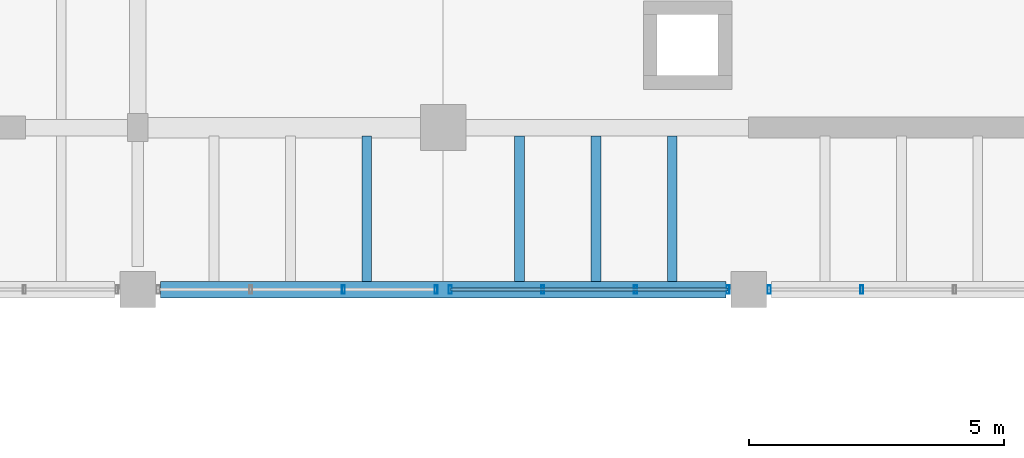
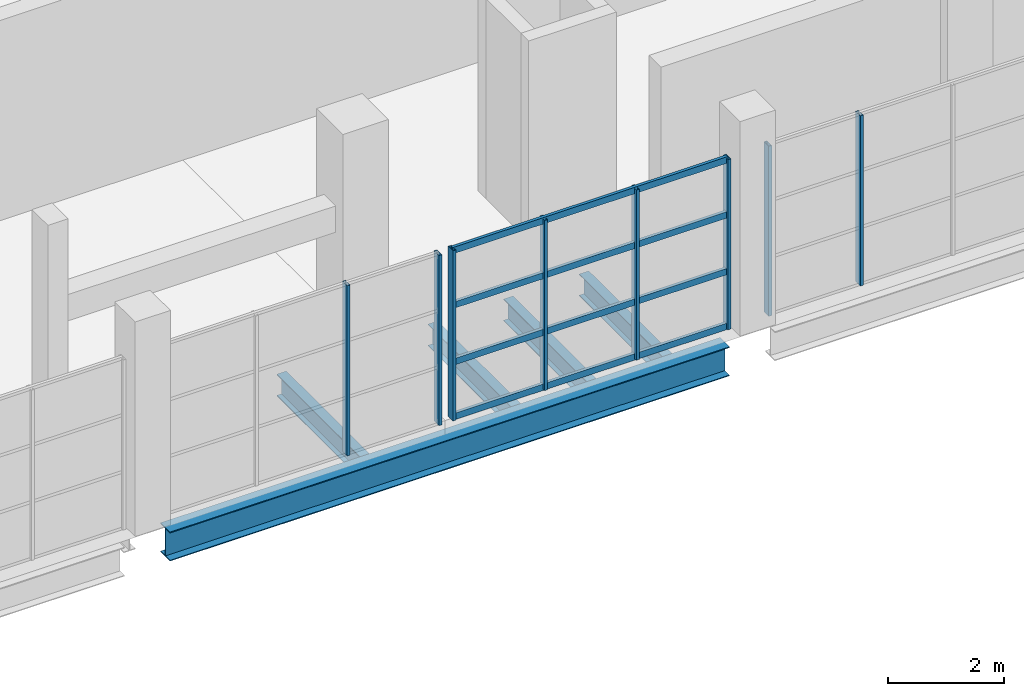
# One storey, part 17 of 63: 12 members, 5 beams, 3 elements without a shape of their own.
"""IFC4 building model written with IfcOpenShell, lengths in metres."""

import ifcopenshell
import ifcopenshell.guid

model = None  # the IFC model being written
_history = None  # IfcOwnerHistory: only IFC2X3 demands one
_inside = {}  # id of a spatial element -> (the spatial element, [elements in it])
_under = {}  # id of a project, library or spatial element -> (it, [spatial elements below it])
_declared = {}  # id of a project -> (the project, [libraries it declares])
_typed = {}  # id of a type object -> (the type object, [elements of that type])
_made_of = {}  # id of a material, layer set ... -> (it, [elements and type objects made of it])


def new_model(schema):
    """Start an empty IFC model of exactly this schema.

    Asked for "IFC4X3", IfcOpenShell would pick the latest addendum, in which some entities
    have other attributes; the version numbers below select the first issue.
    IFC2X3 requires an IfcOwnerHistory on every rooted entity: one is made here for all.
    """
    global model, _history
    if schema == "IFC4X3":
        model = ifcopenshell.file(schema_version=(4, 3, 0, 0))
    else:
        model = ifcopenshell.file(schema=schema)
    _inside.clear()
    _under.clear()
    _declared.clear()
    _typed.clear()
    _made_of.clear()
    _history = None
    if model.schema == "IFC2X3":
        org = make("IfcOrganization", Name="unknown")
        user = make(
            "IfcPersonAndOrganization",
            ThePerson=make("IfcPerson", FamilyName="unknown"),
            TheOrganization=org,
        )
        app = make(
            "IfcApplication",
            ApplicationDeveloper=org,
            Version="unknown",
            ApplicationFullName="unknown",
            ApplicationIdentifier="unknown",
        )
        _history = make(
            "IfcOwnerHistory",
            OwningUser=user,
            OwningApplication=app,
            ChangeAction="ADDED",
            CreationDate=0,
        )
    return model


def make(cls, **values):
    """One entity of the class cls with the attributes given. An attribute that is None is left unset."""
    return model.create_entity(
        cls, **{name: value for name, value in values.items() if value is not None}
    )


def rooted(cls, **values):
    """An entity with a GlobalId (a new one), such as an element, a storey or a relation."""
    return make(cls, GlobalId=ifcopenshell.guid.new(), OwnerHistory=_history, **values)


def si_unit(unit_type, name, prefix=None):
    """IfcSIUnit, for example si_unit("LENGTHUNIT", "METRE", prefix="MILLI")."""
    return make("IfcSIUnit", UnitType=unit_type, Prefix=prefix, Name=name)


def assignment(units):
    """IfcUnitAssignment: the units of a project."""
    return None if units is None else make("IfcUnitAssignment", Units=units)


def point(xyz):
    """IfcCartesianPoint."""
    return None if xyz is None else make("IfcCartesianPoint", Coordinates=xyz)


def direction(xyz):
    """IfcDirection."""
    return None if xyz is None else make("IfcDirection", DirectionRatios=xyz)


def frame(location, z_axis=None, x_axis=None):
    """IfcAxis2Placement3D, a coordinate frame: its origin and axes. An axis left out is left unset."""
    return make(
        "IfcAxis2Placement3D",
        Location=point(location),
        Axis=direction(z_axis),
        RefDirection=direction(x_axis),
    )


def frame_2d(location, x_axis=None):
    """IfcAxis2Placement2D, a coordinate frame in the plane: its origin and x axis."""
    return make(
        "IfcAxis2Placement2D", Location=point(location), RefDirection=direction(x_axis)
    )


def origin():
    """The frame at (0, 0, 0) with its axes left unset."""
    return frame((0.0, 0.0, 0.0))


def origin_2d():
    """The frame at (0, 0) in the plane with its x axis left unset."""
    return frame_2d((0.0, 0.0))


def place(relative_to, where):
    """IfcLocalPlacement: puts the frame where relative to a parent placement (None: the world)."""
    return make(
        "IfcLocalPlacement", PlacementRelTo=relative_to, RelativePlacement=where
    )


def context(
    kind, dimensions, precision=None, world=None, true_north=None, identifier=None
):
    """IfcGeometricRepresentationContext, for example the 3D "Model" context."""
    return make(
        "IfcGeometricRepresentationContext",
        ContextIdentifier=identifier,
        ContextType=kind,
        CoordinateSpaceDimension=dimensions,
        Precision=precision,
        WorldCoordinateSystem=world,
        TrueNorth=true_north,
    )


def subcontext(parent, identifier, kind, view, scale=None):
    """IfcGeometricRepresentationSubContext, for example "Body" below "Model"."""
    return make(
        "IfcGeometricRepresentationSubContext",
        ContextIdentifier=identifier,
        ContextType=kind,
        ParentContext=parent,
        TargetScale=scale,
        TargetView=view,
    )


def project(units=None, contexts=None):
    """IfcProject with its units and contexts."""
    return rooted(
        "IfcProject",
        Name="project",
        RepresentationContexts=contexts,
        UnitsInContext=assignment(units),
    )


def spatial(cls, under=None, at=None, **own):
    """A site, building, storey or space (cls), placed at a placement, below another one or the project."""
    s = rooted(cls, ObjectPlacement=at, **own)
    if under is not None:
        _under.setdefault(under.id(), (under, []))[1].append(s)
    return s


def profile(cls, at=None, kind="AREA", **sizes):
    """A parametric profile (cls). Its sizes go by their IFC names, for example OverallWidth=200.0."""
    return make(cls, ProfileType=kind, Position=at, **sizes)


def hollow_rectangle(**sizes):
    """IfcRectangleHollowProfileDef."""
    return profile("IfcRectangleHollowProfileDef", **sizes)


def i_section(**sizes):
    """IfcIShapeProfileDef."""
    return profile("IfcIShapeProfileDef", **sizes)


def extrude(swept, where, along, depth):
    """IfcExtrudedAreaSolid: the profile swept, set in the frame where, extruded along a direction by depth."""
    return make(
        "IfcExtrudedAreaSolid",
        SweptArea=swept,
        Position=where,
        ExtrudedDirection=direction(along),
        Depth=depth,
    )


def shape(context_of_items, identifier, shape_type, items):
    """IfcShapeRepresentation: the items that make up one representation, for example the "Body"."""
    return make(
        "IfcShapeRepresentation",
        ContextOfItems=context_of_items,
        RepresentationIdentifier=identifier,
        RepresentationType=shape_type,
        Items=items,
    )


def material(Name=None, Category=None):
    """IfcMaterial."""
    return make("IfcMaterial", Name=Name, Category=Category)


def material_profile(
    of_material, cross_section, Name=None, Category=None, Priority=None
):
    """IfcMaterialProfile: a cross section and its material."""
    return make(
        "IfcMaterialProfile",
        Name=Name,
        Material=of_material,
        Profile=cross_section,
        Priority=Priority,
        Category=Category,
    )


def profile_set(profiles, Name=None, composite=None):
    """IfcMaterialProfileSet."""
    return make(
        "IfcMaterialProfileSet",
        Name=Name,
        MaterialProfiles=profiles,
        CompositeProfile=composite,
    )


def made_of(thing, what):
    """Note that an element or type object is made of a material, layer set ...; save() writes the relation."""
    if what is not None:
        _made_of.setdefault(what.id(), (what, []))[1].append(thing)
    return thing


def type_object(cls, material=None, **own):
    """A type object (cls), such as IfcWallType, which elements share."""
    return made_of(rooted(cls, **own), material)


def element(
    cls,
    number,
    at=None,
    inside=None,
    cuts=None,
    type_object=None,
    material=None,
    context=None,
    identifier="Body",
    shape_type=None,
    held_by="IfcProductDefinitionShape",
    body=None,
    shapes=None,
    **own,
):
    """One element of the class cls, such as IfcWall. Its Tag is "e" and its number.

    at: its placement. inside: the storey or other place that contains it. cuts: it is an
    opening in that element (IfcRelVoidsElement). A single representation is given by context,
    identifier, shape_type and body (its items); several are given by shapes. held_by: the class
    of the entity that holds the representations. save() writes the other relations.
    """
    e = rooted(cls, Tag="e%d" % number, ObjectPlacement=at, **own)
    if body is not None:
        shapes = [shape(context, identifier, shape_type, body)]
    if shapes is not None:
        e.Representation = make(held_by, Representations=shapes)
    if inside is not None:
        _inside.setdefault(inside.id(), (inside, []))[1].append(e)
    if cuts is not None:
        rooted(
            "IfcRelVoidsElement", RelatingBuildingElement=cuts, RelatedOpeningElement=e
        )
    if type_object is not None:
        _typed.setdefault(type_object.id(), (type_object, []))[1].append(e)
    return made_of(e, material)


def aggregate(whole, parts):
    """IfcRelAggregates: a whole, such as a stair, and the parts it consists of."""
    return rooted("IfcRelAggregates", RelatingObject=whole, RelatedObjects=parts)


def save(model, path):
    """Write the relations noted so far, then the file.

    IfcRelAggregates (storeys below a building ...), IfcRelContainedInSpatialStructure (elements
    in a storey), IfcRelDefinesByType, IfcRelAssociatesMaterial and IfcRelDeclares: one each for
    every whole, place, type object, material and project.
    """
    for whole, parts in _under.values():
        aggregate(whole, parts)
    for where, things in _inside.values():
        rooted(
            "IfcRelContainedInSpatialStructure",
            RelatedElements=things,
            RelatingStructure=where,
        )
    for kind, things in _typed.values():
        rooted("IfcRelDefinesByType", RelatedObjects=things, RelatingType=kind)
    for what, things in _made_of.values():
        rooted("IfcRelAssociatesMaterial", RelatedObjects=things, RelatingMaterial=what)
    for by, libraries in _declared.values():
        rooted("IfcRelDeclares", RelatingContext=by, RelatedDefinitions=libraries)
    model.write(path)


model = new_model("IFC4")

# Units and contexts
model_context = context("Model", 3, precision=1e-05, world=origin(), true_north=direction((0.0, 1.0)))
body_context = subcontext(model_context, "Body", "Model", "MODEL_VIEW")
ifc_project = project(units=[si_unit("LENGTHUNIT", "METRE"), si_unit("AREAUNIT", "SQUARE_METRE"), si_unit("VOLUMEUNIT", "CUBIC_METRE"), si_unit("PLANEANGLEUNIT", "RADIAN"), si_unit("MASSUNIT", "GRAM", prefix="KILO")], contexts=[model_context])

# Site, building, storey
site_placement = place(None, origin())
site = spatial("IfcSite", under=ifc_project, at=site_placement, CompositionType="ELEMENT")
building_placement = place(site_placement, origin())
building = spatial("IfcBuilding", under=site, at=building_placement, Name="Kelmvaro Bay Concert Hall", CompositionType="ELEMENT")
storey_placement = place(building_placement, frame((0.0, 0.0, 13.800048828125)))
storey = spatial("IfcBuildingStorey", under=building, at=storey_placement, Name="L03", CompositionType="ELEMENT", Elevation=13.800048828125)

# Beam
ifc_material_1 = material(Name="Steel ASTM A992 Grade 50", Category="steel")
ifc_material_profile_1 = material_profile(ifc_material_1, i_section(OverallWidth=0.323974609375, OverallDepth=0.611083984375, WebThickness=0.0126953125, FlangeThickness=0.01904296875, at=origin_2d()), Name="W24X104")
ifc_profile_set_1 = profile_set([ifc_material_profile_1], Name="Steel ASTM A992 Grade 50")
beam_type_1 = type_object("IfcBeamType", Name="Foyer Frame Girder W24x104", PredefinedType="BEAM", material=ifc_profile_set_1)
beam_placement = place(storey_placement, frame((12.449951171875, 65.39990234375, -0.60546875), z_axis=(1.0, 0.0, 0.0), x_axis=(0.0, 1.0, 0.0)))
element("IfcBeam", 1, at=beam_placement, inside=storey, type_object=beam_type_1, Name="L03 Girder BM-L03-EW-1371", PredefinedType="BEAM", context=body_context, shape_type="SweptSolid", body=[
    extrude(i_section(OverallWidth=0.323974609375, OverallDepth=0.611083984375, WebThickness=0.0126953125, FlangeThickness=0.01904296875, at=origin_2d()), origin(), (0.0, 0.0, 1.0), 11.10009765625),
])

# Curtain wall, members
ifc_material_2 = material(Name="Anodised Aluminium and Low-E Insulated Glazing", Category="aluminium")
curtain_wall_type = type_object("IfcCurtainWallType", Name="Symphony South Gallery Curtain Wall 3920", PredefinedType="USERDEFINED", material=ifc_material_2)
curtain_wall_1_placement = place(storey_placement, origin())
curtain_wall_1 = element("IfcCurtainWall", 2, at=curtain_wall_1_placement, inside=storey, type_object=curtain_wall_type, Name="Unitised Curtain Wall CW-L03-022", ObjectType="UNITISED GLAZING", PredefinedType="USERDEFINED")
ifc_material_3 = material(Name="Anodised Extruded Aluminium 6063-T6", Category="aluminium")
ifc_material_profile_2 = material_profile(ifc_material_3, hollow_rectangle(XDim=0.06005859375, YDim=0.1650390625, WallThickness=0.00390625, at=origin_2d()), Name="ALU-MUL-165X60")
ifc_profile_set_2 = profile_set([ifc_material_profile_2], Name="Anodised Extruded Aluminium 6063-T6")
member_type_1 = type_object("IfcMemberType", Name="Gallery Mullion ALU 165x60", PredefinedType="MULLION", material=ifc_profile_set_2)
member_1_placement = place(storey_placement, frame((17.860107421875, 65.39990234375, 0.0), z_axis=(0.0, 0.0, 1.0), x_axis=(1.0, 0.0, 0.0)))
member_1 = element("IfcMember", 3, at=member_1_placement, type_object=member_type_1, Name="CW-L03-022 Mullion 01", PredefinedType="MULLION", context=body_context, shape_type="SweptSolid", body=[
    extrude(hollow_rectangle(XDim=0.06005859375, YDim=0.1650390625, WallThickness=0.00390625, at=origin_2d()), origin(), (0.0, 0.0, 1.0), 3.56884765625),
])
member_2_placement = place(storey_placement, frame((16.041748046875, 65.39990234375, 0.0), z_axis=(0.0, 0.0, 1.0), x_axis=(1.0, 0.0, 0.0)))
member_2 = element("IfcMember", 4, at=member_2_placement, type_object=member_type_1, Name="CW-L03-022 Mullion 02", PredefinedType="MULLION", context=body_context, shape_type="SweptSolid", body=[
    extrude(hollow_rectangle(XDim=0.06005859375, YDim=0.1650390625, WallThickness=0.00390625, at=origin_2d()), origin(), (0.0, 0.0, 1.0), 3.56884765625),
])
aggregate(curtain_wall_1, [member_1, member_2])

curtain_wall_2_placement = place(storey_placement, origin())
curtain_wall_2 = element("IfcCurtainWall", 5, at=curtain_wall_2_placement, inside=storey, type_object=curtain_wall_type, Name="Unitised Curtain Wall CW-L03-023", ObjectType="UNITISED GLAZING", PredefinedType="USERDEFINED")
member_3_placement = place(storey_placement, frame((23.594970703125, 65.39990234375, 0.0), z_axis=(0.0, 0.0, 1.0), x_axis=(1.0, 0.0, 0.0)))
member_3 = element("IfcMember", 6, at=member_3_placement, type_object=member_type_1, Name="CW-L03-023 Mullion 01", PredefinedType="MULLION", context=body_context, shape_type="SweptSolid", body=[
    extrude(hollow_rectangle(XDim=0.06005859375, YDim=0.1650390625, WallThickness=0.00390625, at=origin_2d()), origin(), (0.0, 0.0, 1.0), 3.56884765625),
])
member_4_placement = place(storey_placement, frame((21.776611328125, 65.39990234375, 0.0), z_axis=(0.0, 0.0, 1.0), x_axis=(1.0, 0.0, 0.0)))
member_4 = element("IfcMember", 7, at=member_4_placement, type_object=member_type_1, Name="CW-L03-023 Mullion 02", PredefinedType="MULLION", context=body_context, shape_type="SweptSolid", body=[
    extrude(hollow_rectangle(XDim=0.06005859375, YDim=0.1650390625, WallThickness=0.00390625, at=origin_2d()), origin(), (0.0, 0.0, 1.0), 3.56884765625),
])
member_5_placement = place(storey_placement, frame((19.958251953125, 65.39990234375, 0.0), z_axis=(0.0, 0.0, 1.0), x_axis=(1.0, 0.0, 0.0)))
member_5 = element("IfcMember", 8, at=member_5_placement, type_object=member_type_1, Name="CW-L03-023 Mullion 03", PredefinedType="MULLION", context=body_context, shape_type="SweptSolid", body=[
    extrude(hollow_rectangle(XDim=0.06005859375, YDim=0.1650390625, WallThickness=0.00390625, at=origin_2d()), origin(), (0.0, 0.0, 1.0), 3.56884765625),
])
member_6_placement = place(storey_placement, frame((18.139892578125, 65.39990234375, 0.0), z_axis=(0.0, 0.0, 1.0), x_axis=(1.0, 0.0, 0.0)))
member_6 = element("IfcMember", 9, at=member_6_placement, type_object=member_type_1, Name="CW-L03-023 Mullion 04", PredefinedType="MULLION", context=body_context, shape_type="SweptSolid", body=[
    extrude(hollow_rectangle(XDim=0.06005859375, YDim=0.1650390625, WallThickness=0.00390625, at=origin_2d()), origin(), (0.0, 0.0, 1.0), 3.56884765625),
])

curtain_wall_3_placement = place(storey_placement, origin())
curtain_wall_3 = element("IfcCurtainWall", 10, at=curtain_wall_3_placement, inside=storey, type_object=curtain_wall_type, Name="Unitised Curtain Wall CW-L03-024", ObjectType="UNITISED GLAZING", PredefinedType="USERDEFINED")
member_7_placement = place(storey_placement, frame((26.223388671875, 65.39990234375, 0.0), z_axis=(0.0, 0.0, 1.0), x_axis=(1.0, 0.0, 0.0)))
member_7 = element("IfcMember", 11, at=member_7_placement, type_object=member_type_1, Name="CW-L03-024 Mullion 03", PredefinedType="MULLION", context=body_context, shape_type="SweptSolid", body=[
    extrude(hollow_rectangle(XDim=0.06005859375, YDim=0.1650390625, WallThickness=0.00390625, at=origin_2d()), origin(), (0.0, 0.0, 1.0), 3.56884765625),
])
member_8_placement = place(storey_placement, frame((24.405029296875, 65.39990234375, 0.0), z_axis=(0.0, 0.0, 1.0), x_axis=(1.0, 0.0, 0.0)))
member_8 = element("IfcMember", 12, at=member_8_placement, type_object=member_type_1, Name="CW-L03-024 Mullion 04", PredefinedType="MULLION", context=body_context, shape_type="SweptSolid", body=[
    extrude(hollow_rectangle(XDim=0.06005859375, YDim=0.1650390625, WallThickness=0.00390625, at=origin_2d()), origin(), (0.0, 0.0, 1.0), 3.56884765625),
])
aggregate(curtain_wall_3, [member_7, member_8])

# Member
ifc_material_4 = material(Name="Anodised Extruded Aluminium 6063-T6", Category="aluminium")
ifc_material_profile_3 = material_profile(ifc_material_4, hollow_rectangle(XDim=0.06005859375, YDim=0.135009765625, WallThickness=0.00390625, at=origin_2d()), Name="ALU-TRN-135X60")
ifc_profile_set_3 = profile_set([ifc_material_profile_3], Name="Anodised Extruded Aluminium 6063-T6")
member_type_2 = type_object("IfcMemberType", Name="Gallery Transom ALU 135x60", PredefinedType="USERDEFINED", material=ifc_profile_set_3)
member_9_placement = place(storey_placement, frame((23.594970703125, 65.39990234375, 0.0400390625), z_axis=(-1.0, 0.0, 0.0), x_axis=(0.0, -1.0, 0.0)))
member_9 = element("IfcMember", 13, at=member_9_placement, type_object=member_type_2, Name="CW-L03-023 Transom 01", ObjectType="TRANSOM", PredefinedType="USERDEFINED", context=body_context, shape_type="SweptSolid", body=[
    extrude(hollow_rectangle(XDim=0.06005859375, YDim=0.135009765625, WallThickness=0.00390625, at=origin_2d()), origin(), (0.0, 0.0, 1.0), 5.455078125),
])

member_10_placement = place(storey_placement, frame((23.594970703125, 65.39990234375, 1.189697265625), z_axis=(-1.0, 0.0, 0.0), x_axis=(0.0, -1.0, 0.0)))
member_10 = element("IfcMember", 14, at=member_10_placement, type_object=member_type_2, Name="CW-L03-023 Transom 02", ObjectType="TRANSOM", PredefinedType="USERDEFINED", context=body_context, shape_type="SweptSolid", body=[
    extrude(hollow_rectangle(XDim=0.06005859375, YDim=0.135009765625, WallThickness=0.00390625, at=origin_2d()), origin(), (0.0, 0.0, 1.0), 5.455078125),
])

member_11_placement = place(storey_placement, frame((23.594970703125, 65.39990234375, 2.379150390625), z_axis=(-1.0, 0.0, 0.0), x_axis=(0.0, -1.0, 0.0)))
member_11 = element("IfcMember", 15, at=member_11_placement, type_object=member_type_2, Name="CW-L03-023 Transom 03", ObjectType="TRANSOM", PredefinedType="USERDEFINED", context=body_context, shape_type="SweptSolid", body=[
    extrude(hollow_rectangle(XDim=0.06005859375, YDim=0.135009765625, WallThickness=0.00390625, at=origin_2d()), origin(), (0.0, 0.0, 1.0), 5.455078125),
])

member_12_placement = place(storey_placement, frame((23.594970703125, 65.39990234375, 3.529052734375), z_axis=(-1.0, 0.0, 0.0), x_axis=(0.0, -1.0, 0.0)))
member_12 = element("IfcMember", 16, at=member_12_placement, type_object=member_type_2, Name="CW-L03-023 Transom 04", ObjectType="TRANSOM", PredefinedType="USERDEFINED", context=body_context, shape_type="SweptSolid", body=[
    extrude(hollow_rectangle(XDim=0.06005859375, YDim=0.135009765625, WallThickness=0.00390625, at=origin_2d()), origin(), (0.0, 0.0, 1.0), 5.455078125),
])

aggregate(curtain_wall_2, [member_3, member_4, member_5, member_6, member_9, member_10, member_11, member_12])

# Beams
ifc_material_5 = material(Name="Steel ASTM A992 Grade 50", Category="steel")
ifc_material_profile_4 = material_profile(ifc_material_5, i_section(OverallWidth=0.19091796875, OverallDepth=0.45703125, WebThickness=0.009033203125, FlangeThickness=0.014404296875, at=origin_2d()), Name="W18X50")
ifc_profile_set_4 = profile_set([ifc_material_profile_4], Name="Steel ASTM A992 Grade 50")
beam_type_2 = type_object("IfcBeamType", Name="Standard Composite Floor Joist W18x50", PredefinedType="JOIST", material=ifc_profile_set_4)
for number, where, z_axis, x_axis, name in (
    (17, (16.5, 65.56201171875, -0.528564453125), (0.0, 1.0, 0.0), (-1.0, 0.0, 0.0), "L03 Floor Joist JST-L03-1599"),
    (18, (19.5, 65.56201171875, -0.528564453125), (0.0, 1.0, 0.0), (-1.0, 0.0, 0.0), "L03 Floor Joist JST-L03-1600"),
    (19, (21.0, 65.56201171875, -0.528564453125), (0.0, 1.0, 0.0), (-1.0, 0.0, 0.0), "L03 Floor Joist JST-L03-1601"),
    (20, (22.5, 65.56201171875, -0.528564453125), (0.0, 1.0, 0.0), (-1.0, 0.0, 0.0), "L03 Floor Joist JST-L03-1602"),
):
    element("IfcBeam", number, at=place(storey_placement, frame(where, z_axis=z_axis, x_axis=x_axis)), inside=storey, type_object=beam_type_2, Name=name, PredefinedType="JOIST", context=body_context, shape_type="SweptSolid", body=[
        extrude(i_section(OverallWidth=0.19091796875, OverallDepth=0.45703125, WebThickness=0.009033203125, FlangeThickness=0.014404296875, at=origin_2d()), origin(), (0.0, 0.0, 1.0), 2.85595703125),
    ])

save(model, "model.ifc")
